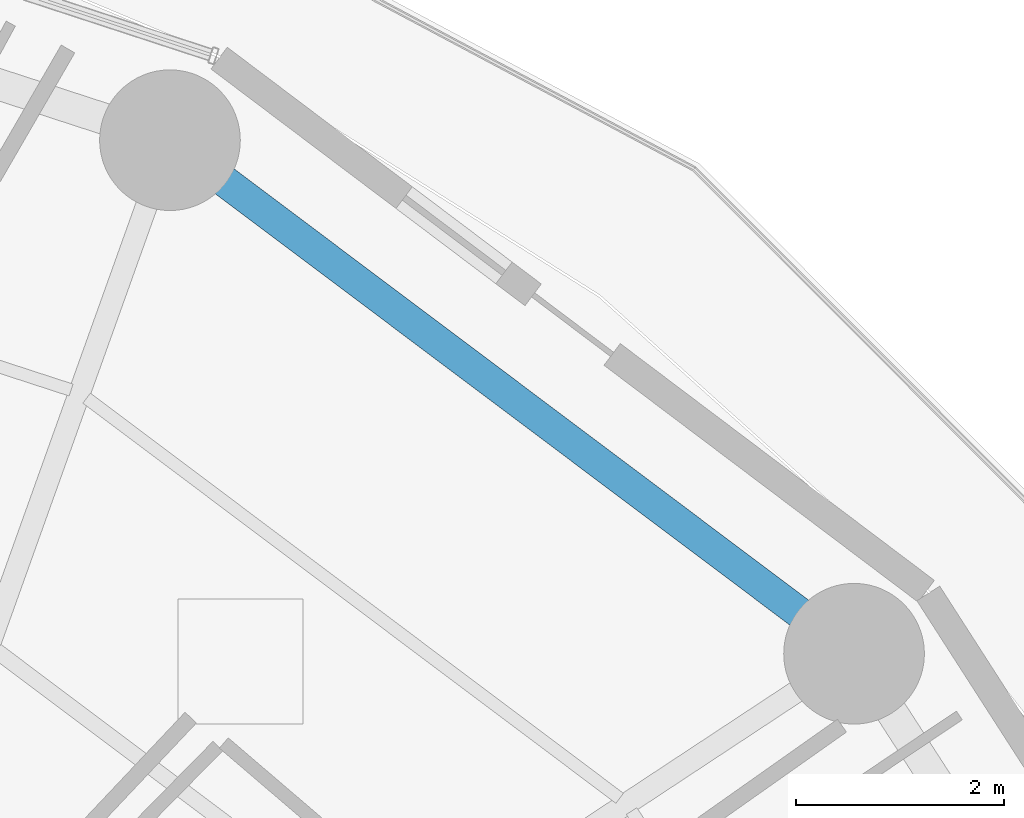
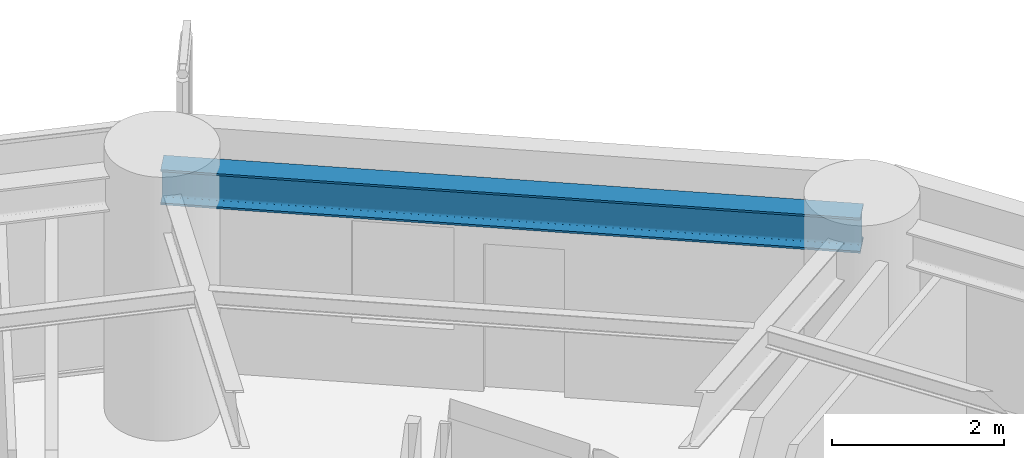
# One storey, part 26 of 35: 1 beam.
"""IFC4 building model written with IfcOpenShell, lengths in metres."""

from ifc_helpers import new_model, si_unit, direction, frame, origin, origin_2d, place, context, subcontext, project, spatial, i_section, extrude, material, material_profile, profile_set, type_object, element, save


model = new_model("IFC4")

# Units and contexts
model_context = context("Model", 3, precision=1e-05, world=origin(), true_north=direction((0.0, 1.0)))
body_context = subcontext(model_context, "Body", "Model", "MODEL_VIEW")
ifc_project = project(units=[si_unit("LENGTHUNIT", "METRE"), si_unit("AREAUNIT", "SQUARE_METRE"), si_unit("VOLUMEUNIT", "CUBIC_METRE"), si_unit("PLANEANGLEUNIT", "RADIAN"), si_unit("MASSUNIT", "GRAM", prefix="KILO")], contexts=[model_context])

# Site, building, storey
site_placement = place(None, origin())
site = spatial("IfcSite", under=ifc_project, at=site_placement, CompositionType="ELEMENT")
building_placement = place(site_placement, origin())
building = spatial("IfcBuilding", under=site, at=building_placement, Name="Kelanora Arch Commons", CompositionType="ELEMENT")
storey_placement = place(building_placement, frame((0.0, 0.0, 117.60009765625)))
storey = spatial("IfcBuildingStorey", under=building, at=storey_placement, Name="L30", CompositionType="ELEMENT", Elevation=117.60009765625)

# Beam
ifc_material = material(Name="Steel S355", Category="steel")
ifc_material_profile = material_profile(ifc_material, i_section(OverallWidth=0.300048828125, OverallDepth=0.5, WebThickness=0.014404296875, FlangeThickness=0.028076171875, FilletRadius=0.027099609375, at=origin_2d()), Name="HEB500")
ifc_profile_set = profile_set([ifc_material_profile], Name="Steel S355")
beam_type = type_object("IfcBeamType", Name="BM-SPN-Z2", PredefinedType="SPANDREL", material=ifc_profile_set)
beam_placement = place(storey_placement, frame((92.906005859375, 72.19287109375, 3.239990234375), z_axis=(-0.799735861602, 0.600352023123, 0.0), x_axis=(-0.600352023123, -0.799735861602, 0.0)))
element("IfcBeam", 1, at=beam_placement, inside=storey, type_object=beam_type, Name="Perimeter Spandrel Beam BS-04 L30", PredefinedType="SPANDREL", context=body_context, shape_type="SweptSolid", body=[
    extrude(i_section(OverallWidth=0.300048828125, OverallDepth=0.5, WebThickness=0.014404296875, FlangeThickness=0.028076171875, FilletRadius=0.027099609375, at=origin_2d()), origin(), (0.0, 0.0, 1.0), 8.210205078125),
])

save(model, "model.ifc")
